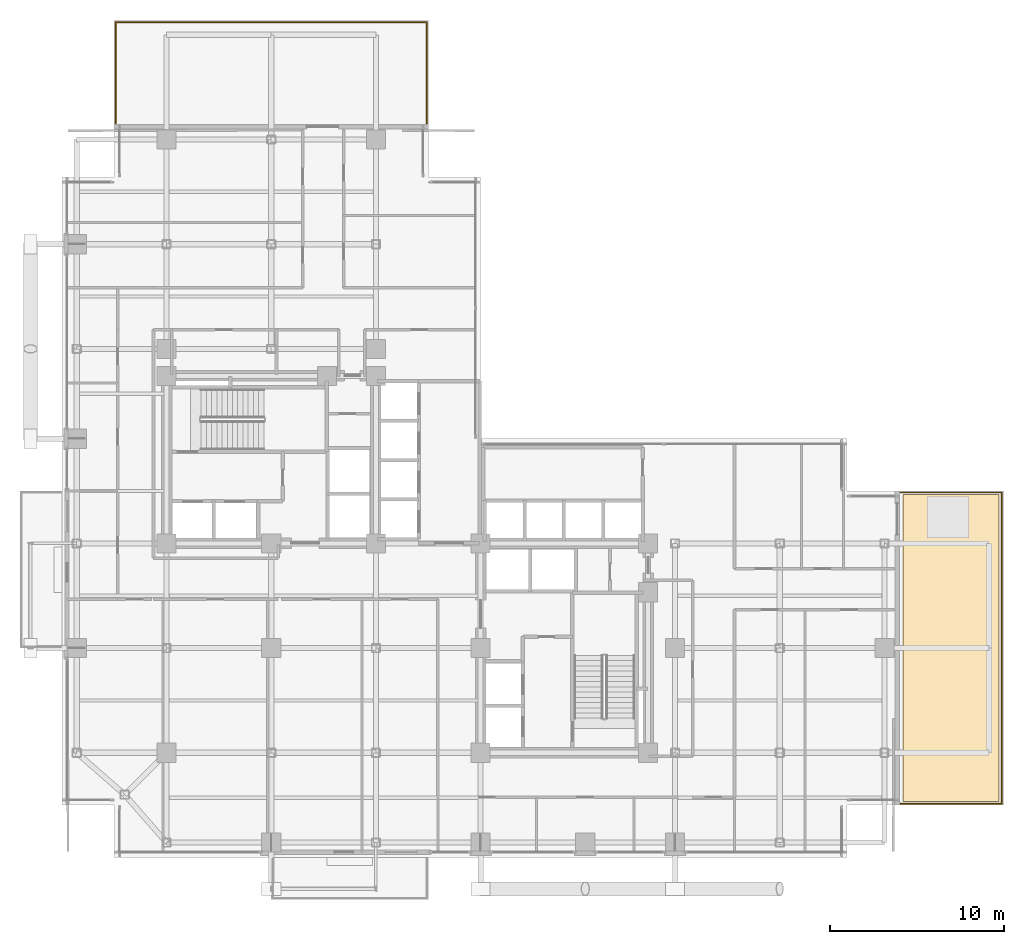
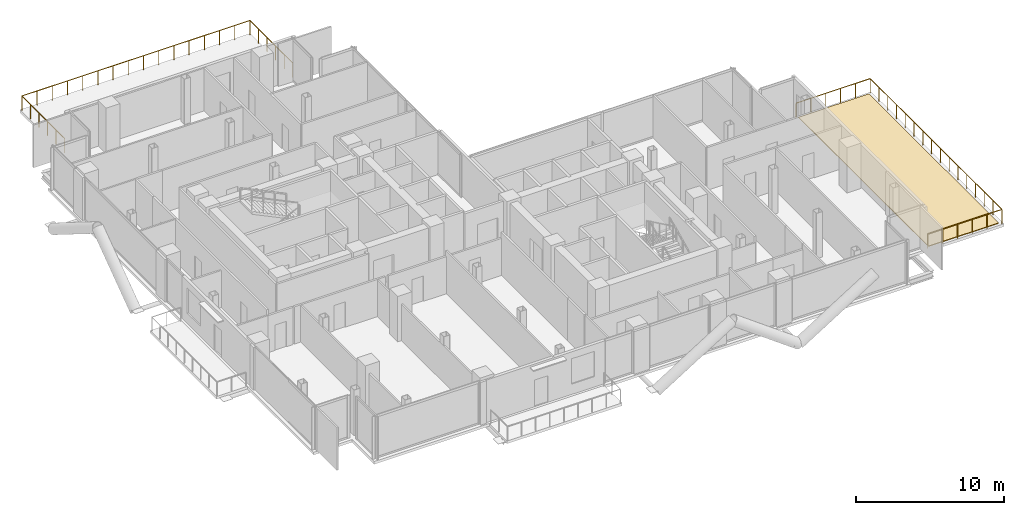
# One storey, part 26 of 26: 2 railings, 1 covering.
"""IFC4 building model written with IfcOpenShell, lengths in metres."""

import ifcopenshell
import ifcopenshell.guid

model = None  # the IFC model being written
_history = None  # IfcOwnerHistory: only IFC2X3 demands one
_inside = {}  # id of a spatial element -> (the spatial element, [elements in it])
_under = {}  # id of a project, library or spatial element -> (it, [spatial elements below it])
_declared = {}  # id of a project -> (the project, [libraries it declares])
_typed = {}  # id of a type object -> (the type object, [elements of that type])
_made_of = {}  # id of a material, layer set ... -> (it, [elements and type objects made of it])


def new_model(schema):
    """Start an empty IFC model of exactly this schema.

    Asked for "IFC4X3", IfcOpenShell would pick the latest addendum, in which some entities
    have other attributes; the version numbers below select the first issue.
    IFC2X3 requires an IfcOwnerHistory on every rooted entity: one is made here for all.
    """
    global model, _history
    if schema == "IFC4X3":
        model = ifcopenshell.file(schema_version=(4, 3, 0, 0))
    else:
        model = ifcopenshell.file(schema=schema)
    _inside.clear()
    _under.clear()
    _declared.clear()
    _typed.clear()
    _made_of.clear()
    _history = None
    if model.schema == "IFC2X3":
        org = make("IfcOrganization", Name="unknown")
        user = make(
            "IfcPersonAndOrganization",
            ThePerson=make("IfcPerson", FamilyName="unknown"),
            TheOrganization=org,
        )
        app = make(
            "IfcApplication",
            ApplicationDeveloper=org,
            Version="unknown",
            ApplicationFullName="unknown",
            ApplicationIdentifier="unknown",
        )
        _history = make(
            "IfcOwnerHistory",
            OwningUser=user,
            OwningApplication=app,
            ChangeAction="ADDED",
            CreationDate=0,
        )
    return model


def make(cls, **values):
    """One entity of the class cls with the attributes given. An attribute that is None is left unset."""
    return model.create_entity(
        cls, **{name: value for name, value in values.items() if value is not None}
    )


def rooted(cls, **values):
    """An entity with a GlobalId (a new one), such as an element, a storey or a relation."""
    return make(cls, GlobalId=ifcopenshell.guid.new(), OwnerHistory=_history, **values)


def si_unit(unit_type, name, prefix=None):
    """IfcSIUnit, for example si_unit("LENGTHUNIT", "METRE", prefix="MILLI")."""
    return make("IfcSIUnit", UnitType=unit_type, Prefix=prefix, Name=name)


def assignment(units):
    """IfcUnitAssignment: the units of a project."""
    return None if units is None else make("IfcUnitAssignment", Units=units)


def point(xyz):
    """IfcCartesianPoint."""
    return None if xyz is None else make("IfcCartesianPoint", Coordinates=xyz)


def direction(xyz):
    """IfcDirection."""
    return None if xyz is None else make("IfcDirection", DirectionRatios=xyz)


def frame(location, z_axis=None, x_axis=None):
    """IfcAxis2Placement3D, a coordinate frame: its origin and axes. An axis left out is left unset."""
    return make(
        "IfcAxis2Placement3D",
        Location=point(location),
        Axis=direction(z_axis),
        RefDirection=direction(x_axis),
    )


def frame_2d(location, x_axis=None):
    """IfcAxis2Placement2D, a coordinate frame in the plane: its origin and x axis."""
    return make(
        "IfcAxis2Placement2D", Location=point(location), RefDirection=direction(x_axis)
    )


def origin():
    """The frame at (0, 0, 0) with its axes left unset."""
    return frame((0.0, 0.0, 0.0))


def origin_2d():
    """The frame at (0, 0) in the plane with its x axis left unset."""
    return frame_2d((0.0, 0.0))


def place(relative_to, where):
    """IfcLocalPlacement: puts the frame where relative to a parent placement (None: the world)."""
    return make(
        "IfcLocalPlacement", PlacementRelTo=relative_to, RelativePlacement=where
    )


def context(
    kind, dimensions, precision=None, world=None, true_north=None, identifier=None
):
    """IfcGeometricRepresentationContext, for example the 3D "Model" context."""
    return make(
        "IfcGeometricRepresentationContext",
        ContextIdentifier=identifier,
        ContextType=kind,
        CoordinateSpaceDimension=dimensions,
        Precision=precision,
        WorldCoordinateSystem=world,
        TrueNorth=true_north,
    )


def subcontext(parent, identifier, kind, view, scale=None):
    """IfcGeometricRepresentationSubContext, for example "Body" below "Model"."""
    return make(
        "IfcGeometricRepresentationSubContext",
        ContextIdentifier=identifier,
        ContextType=kind,
        ParentContext=parent,
        TargetScale=scale,
        TargetView=view,
    )


def project(units=None, contexts=None):
    """IfcProject with its units and contexts."""
    return rooted(
        "IfcProject",
        Name="project",
        RepresentationContexts=contexts,
        UnitsInContext=assignment(units),
    )


def spatial(cls, under=None, at=None, **own):
    """A site, building, storey or space (cls), placed at a placement, below another one or the project."""
    s = rooted(cls, ObjectPlacement=at, **own)
    if under is not None:
        _under.setdefault(under.id(), (under, []))[1].append(s)
    return s


def polyline(points):
    """IfcPolyline through the points."""
    return make("IfcPolyline", Points=[point(p) for p in points])


def profile(cls, at=None, kind="AREA", **sizes):
    """A parametric profile (cls). Its sizes go by their IFC names, for example OverallWidth=200.0."""
    return make(cls, ProfileType=kind, Position=at, **sizes)


def rectangle(**sizes):
    """IfcRectangleProfileDef."""
    return profile("IfcRectangleProfileDef", **sizes)


def outline(outer, holes=None, kind="AREA"):
    """IfcArbitraryClosedProfileDef: a profile drawn as a closed curve; with holes, ...WithVoids."""
    if holes is None:
        return make("IfcArbitraryClosedProfileDef", ProfileType=kind, OuterCurve=outer)
    return make(
        "IfcArbitraryProfileDefWithVoids",
        ProfileType=kind,
        OuterCurve=outer,
        InnerCurves=holes,
    )


def extrude(swept, where, along, depth):
    """IfcExtrudedAreaSolid: the profile swept, set in the frame where, extruded along a direction by depth."""
    return make(
        "IfcExtrudedAreaSolid",
        SweptArea=swept,
        Position=where,
        ExtrudedDirection=direction(along),
        Depth=depth,
    )


def shape(context_of_items, identifier, shape_type, items):
    """IfcShapeRepresentation: the items that make up one representation, for example the "Body"."""
    return make(
        "IfcShapeRepresentation",
        ContextOfItems=context_of_items,
        RepresentationIdentifier=identifier,
        RepresentationType=shape_type,
        Items=items,
    )


def material(Name=None, Category=None):
    """IfcMaterial."""
    return make("IfcMaterial", Name=Name, Category=Category)


def layer(
    of_material, thickness, ventilated=None, Name=None, Category=None, Priority=None
):
    """IfcMaterialLayer: one layer of a wall or slab, of a material (None: an air gap)."""
    return make(
        "IfcMaterialLayer",
        Material=of_material,
        LayerThickness=thickness,
        IsVentilated=ventilated,
        Name=Name,
        Category=Category,
        Priority=Priority,
    )


def layer_set(layers, Name=None):
    """IfcMaterialLayerSet."""
    return make("IfcMaterialLayerSet", MaterialLayers=layers, LayerSetName=Name)


def made_of(thing, what):
    """Note that an element or type object is made of a material, layer set ...; save() writes the relation."""
    if what is not None:
        _made_of.setdefault(what.id(), (what, []))[1].append(thing)
    return thing


def type_object(cls, material=None, **own):
    """A type object (cls), such as IfcWallType, which elements share."""
    return made_of(rooted(cls, **own), material)


def element(
    cls,
    number,
    at=None,
    inside=None,
    cuts=None,
    type_object=None,
    material=None,
    context=None,
    identifier="Body",
    shape_type=None,
    held_by="IfcProductDefinitionShape",
    body=None,
    shapes=None,
    **own,
):
    """One element of the class cls, such as IfcWall. Its Tag is "e" and its number.

    at: its placement. inside: the storey or other place that contains it. cuts: it is an
    opening in that element (IfcRelVoidsElement). A single representation is given by context,
    identifier, shape_type and body (its items); several are given by shapes. held_by: the class
    of the entity that holds the representations. save() writes the other relations.
    """
    e = rooted(cls, Tag="e%d" % number, ObjectPlacement=at, **own)
    if body is not None:
        shapes = [shape(context, identifier, shape_type, body)]
    if shapes is not None:
        e.Representation = make(held_by, Representations=shapes)
    if inside is not None:
        _inside.setdefault(inside.id(), (inside, []))[1].append(e)
    if cuts is not None:
        rooted(
            "IfcRelVoidsElement", RelatingBuildingElement=cuts, RelatedOpeningElement=e
        )
    if type_object is not None:
        _typed.setdefault(type_object.id(), (type_object, []))[1].append(e)
    return made_of(e, material)


def aggregate(whole, parts):
    """IfcRelAggregates: a whole, such as a stair, and the parts it consists of."""
    return rooted("IfcRelAggregates", RelatingObject=whole, RelatedObjects=parts)


def save(model, path):
    """Write the relations noted so far, then the file.

    IfcRelAggregates (storeys below a building ...), IfcRelContainedInSpatialStructure (elements
    in a storey), IfcRelDefinesByType, IfcRelAssociatesMaterial and IfcRelDeclares: one each for
    every whole, place, type object, material and project.
    """
    for whole, parts in _under.values():
        aggregate(whole, parts)
    for where, things in _inside.values():
        rooted(
            "IfcRelContainedInSpatialStructure",
            RelatedElements=things,
            RelatingStructure=where,
        )
    for kind, things in _typed.values():
        rooted("IfcRelDefinesByType", RelatedObjects=things, RelatingType=kind)
    for what, things in _made_of.values():
        rooted("IfcRelAssociatesMaterial", RelatedObjects=things, RelatingMaterial=what)
    for by, libraries in _declared.values():
        rooted("IfcRelDeclares", RelatingContext=by, RelatedDefinitions=libraries)
    model.write(path)


model = new_model("IFC4")

# Units and contexts
model_context = context("Model", 3, precision=1e-05, world=origin(), true_north=direction((0.0, 1.0)))
body_context = subcontext(model_context, "Body", "Model", "MODEL_VIEW")
ifc_project = project(units=[si_unit("LENGTHUNIT", "METRE"), si_unit("AREAUNIT", "SQUARE_METRE"), si_unit("VOLUMEUNIT", "CUBIC_METRE"), si_unit("PLANEANGLEUNIT", "RADIAN"), si_unit("MASSUNIT", "GRAM", prefix="KILO"), si_unit("THERMODYNAMICTEMPERATUREUNIT", "KELVIN"), si_unit("POWERUNIT", "WATT")], contexts=[model_context])

# Site, building, storey
site_placement = place(None, origin())
site = spatial("IfcSite", under=ifc_project, at=site_placement, CompositionType="ELEMENT")
building_placement = place(site_placement, origin())
building = spatial("IfcBuilding", under=site, at=building_placement, Name="Svarakhadi Broadcast Tower", CompositionType="ELEMENT")
storey_placement = place(building_placement, frame((0.0, 0.0, 99.60009765625)))
storey = spatial("IfcBuildingStorey", under=building, at=storey_placement, Name="L23", CompositionType="ELEMENT", Elevation=99.60009765625)

# Railings
ifc_material_1 = material(Name="Anodised Bronze Aluminium AA 6063-T6", Category="aluminium")
railing_type = type_object("IfcRailingType", Name="Guard_Terrace_GR02", PredefinedType="BALUSTRADE", material=ifc_material_1)
railing_1_placement = place(storey_placement, frame((48.080078125, 3.080078125, 0.0)))
element("IfcRailing", 1, at=railing_1_placement, inside=storey, type_object=railing_type, Name="L23 East Setback Sky Garden Guard GR-02", PredefinedType="BALUSTRADE", context=body_context, shape_type="SweptSolid", body=[
    extrude(rectangle(XDim=0.048095703125, YDim=0.048095703125, at=origin_2d()), frame((0.0, 0.0, 1.17578125), z_axis=(1.0, 0.0, 0.0), x_axis=(0.0, 1.0, 0.0)), (0.0, 0.0, 1.0), 5.7998046875),
    extrude(rectangle(XDim=0.048095703125, YDim=0.048095703125, at=origin_2d()), frame((5.7998046875, 0.0, 1.17578125), z_axis=(0.0, 1.0, 0.0), x_axis=(-1.0, 0.0, 0.0)), (0.0, 0.0, 1.0), 17.83984375),
    extrude(rectangle(XDim=0.048095703125, YDim=0.048095703125, at=origin_2d()), frame((5.7998046875, 17.83984375, 1.17578125), z_axis=(-1.0, 0.0, 0.0), x_axis=(0.0, -1.0, 0.0)), (0.0, 0.0, 1.0), 5.7998046875),
    extrude(rectangle(XDim=0.0419921875, YDim=0.0419921875, at=origin_2d()), origin(), (0.0, 0.0, 1.0), 1.15185546875),
    extrude(rectangle(XDim=0.0419921875, YDim=0.0419921875, at=origin_2d()), frame((1.159912109375, 0.0, 0.0)), (0.0, 0.0, 1.0), 1.15185546875),
    extrude(rectangle(XDim=0.0419921875, YDim=0.0419921875, at=origin_2d()), frame((2.31982421875, 0.0, 0.0)), (0.0, 0.0, 1.0), 1.15185546875),
    extrude(rectangle(XDim=0.0419921875, YDim=0.0419921875, at=origin_2d()), frame((3.47998046875, 0.0, 0.0)), (0.0, 0.0, 1.0), 1.15185546875),
    extrude(rectangle(XDim=0.0419921875, YDim=0.0419921875, at=origin_2d()), frame((4.639892578125, 0.0, 0.0)), (0.0, 0.0, 1.0), 1.15185546875),
    extrude(rectangle(XDim=0.0419921875, YDim=0.0419921875, at=origin_2d()), frame((5.7998046875, 0.0, 0.0)), (0.0, 0.0, 1.0), 1.15185546875),
    extrude(rectangle(XDim=0.0419921875, YDim=0.0419921875, at=origin_2d()), frame((5.7998046875, 1.189208984375, 0.0)), (0.0, 0.0, 1.0), 1.15185546875),
    extrude(rectangle(XDim=0.0419921875, YDim=0.0419921875, at=origin_2d()), frame((5.7998046875, 2.378662109375, 0.0)), (0.0, 0.0, 1.0), 1.15185546875),
    extrude(rectangle(XDim=0.0419921875, YDim=0.0419921875, at=origin_2d()), frame((5.7998046875, 3.56787109375, 0.0)), (0.0, 0.0, 1.0), 1.15185546875),
    extrude(rectangle(XDim=0.0419921875, YDim=0.0419921875, at=origin_2d()), frame((5.7998046875, 4.75732421875, 0.0)), (0.0, 0.0, 1.0), 1.15185546875),
    extrude(rectangle(XDim=0.0419921875, YDim=0.0419921875, at=origin_2d()), frame((5.7998046875, 5.946533203125, 0.0)), (0.0, 0.0, 1.0), 1.15185546875),
    extrude(rectangle(XDim=0.0419921875, YDim=0.0419921875, at=origin_2d()), frame((5.7998046875, 7.135986328125, 0.0)), (0.0, 0.0, 1.0), 1.15185546875),
    extrude(rectangle(XDim=0.0419921875, YDim=0.0419921875, at=origin_2d()), frame((5.7998046875, 8.3251953125, 0.0)), (0.0, 0.0, 1.0), 1.15185546875),
    extrude(rectangle(XDim=0.0419921875, YDim=0.0419921875, at=origin_2d()), frame((5.7998046875, 9.5146484375, 0.0)), (0.0, 0.0, 1.0), 1.15185546875),
    extrude(rectangle(XDim=0.0419921875, YDim=0.0419921875, at=origin_2d()), frame((5.7998046875, 10.703857421875, 0.0)), (0.0, 0.0, 1.0), 1.15185546875),
    extrude(rectangle(XDim=0.0419921875, YDim=0.0419921875, at=origin_2d()), frame((5.7998046875, 11.893310546875, 0.0)), (0.0, 0.0, 1.0), 1.15185546875),
    extrude(rectangle(XDim=0.0419921875, YDim=0.0419921875, at=origin_2d()), frame((5.7998046875, 13.08251953125, 0.0)), (0.0, 0.0, 1.0), 1.15185546875),
    extrude(rectangle(XDim=0.0419921875, YDim=0.0419921875, at=origin_2d()), frame((5.7998046875, 14.27197265625, 0.0)), (0.0, 0.0, 1.0), 1.15185546875),
    extrude(rectangle(XDim=0.0419921875, YDim=0.0419921875, at=origin_2d()), frame((5.7998046875, 15.461181640625, 0.0)), (0.0, 0.0, 1.0), 1.15185546875),
    extrude(rectangle(XDim=0.0419921875, YDim=0.0419921875, at=origin_2d()), frame((5.7998046875, 16.650634765625, 0.0)), (0.0, 0.0, 1.0), 1.15185546875),
    extrude(rectangle(XDim=0.0419921875, YDim=0.0419921875, at=origin_2d()), frame((5.7998046875, 17.83984375, 0.0)), (0.0, 0.0, 1.0), 1.15185546875),
    extrude(rectangle(XDim=0.0419921875, YDim=0.0419921875, at=origin_2d()), frame((4.639892578125, 17.83984375, 0.0)), (0.0, 0.0, 1.0), 1.15185546875),
    extrude(rectangle(XDim=0.0419921875, YDim=0.0419921875, at=origin_2d()), frame((3.47998046875, 17.83984375, 0.0)), (0.0, 0.0, 1.0), 1.15185546875),
    extrude(rectangle(XDim=0.0419921875, YDim=0.0419921875, at=origin_2d()), frame((2.31982421875, 17.83984375, 0.0)), (0.0, 0.0, 1.0), 1.15185546875),
    extrude(rectangle(XDim=0.0419921875, YDim=0.0419921875, at=origin_2d()), frame((1.159912109375, 17.83984375, 0.0)), (0.0, 0.0, 1.0), 1.15185546875),
    extrude(rectangle(XDim=0.0419921875, YDim=0.0419921875, at=origin_2d()), frame((0.0, 17.83984375, 0.0)), (0.0, 0.0, 1.0), 1.15185546875),
])
railing_2_placement = place(storey_placement, frame((3.080078125, 42.080078125, 0.0)))
element("IfcRailing", 2, at=railing_2_placement, inside=storey, type_object=railing_type, Name="L23 North Setback Sky Garden Guard GR-02", PredefinedType="BALUSTRADE", context=body_context, shape_type="SweptSolid", body=[
    extrude(rectangle(XDim=0.048095703125, YDim=0.048095703125, at=origin_2d()), frame((0.0, 0.0, 1.17578125), z_axis=(0.0, 1.0, 0.0), x_axis=(-1.0, 0.0, 0.0)), (0.0, 0.0, 1.0), 5.7998046875),
    extrude(rectangle(XDim=0.048095703125, YDim=0.048095703125, at=origin_2d()), frame((0.0, 5.7998046875, 1.17578125), z_axis=(1.0, 0.0, 0.0), x_axis=(0.0, 1.0, 0.0)), (0.0, 0.0, 1.0), 17.83984375),
    extrude(rectangle(XDim=0.048095703125, YDim=0.048095703125, at=origin_2d()), frame((17.83984375, 5.7998046875, 1.17578125), z_axis=(0.0, -1.0, 0.0), x_axis=(1.0, 0.0, 0.0)), (0.0, 0.0, 1.0), 5.7998046875),
    extrude(rectangle(XDim=0.0419921875, YDim=0.0419921875, at=origin_2d()), origin(), (0.0, 0.0, 1.0), 1.15185546875),
    extrude(rectangle(XDim=0.0419921875, YDim=0.0419921875, at=origin_2d()), frame((0.0, 1.159912109375, 0.0)), (0.0, 0.0, 1.0), 1.15185546875),
    extrude(rectangle(XDim=0.0419921875, YDim=0.0419921875, at=origin_2d()), frame((0.0, 2.31982421875, 0.0)), (0.0, 0.0, 1.0), 1.15185546875),
    extrude(rectangle(XDim=0.0419921875, YDim=0.0419921875, at=origin_2d()), frame((0.0, 3.47998046875, 0.0)), (0.0, 0.0, 1.0), 1.15185546875),
    extrude(rectangle(XDim=0.0419921875, YDim=0.0419921875, at=origin_2d()), frame((0.0, 4.639892578125, 0.0)), (0.0, 0.0, 1.0), 1.15185546875),
    extrude(rectangle(XDim=0.0419921875, YDim=0.0419921875, at=origin_2d()), frame((0.0, 5.7998046875, 0.0)), (0.0, 0.0, 1.0), 1.15185546875),
    extrude(rectangle(XDim=0.0419921875, YDim=0.0419921875, at=origin_2d()), frame((1.189208984375, 5.7998046875, 0.0)), (0.0, 0.0, 1.0), 1.15185546875),
    extrude(rectangle(XDim=0.0419921875, YDim=0.0419921875, at=origin_2d()), frame((2.378662109375, 5.7998046875, 0.0)), (0.0, 0.0, 1.0), 1.15185546875),
    extrude(rectangle(XDim=0.0419921875, YDim=0.0419921875, at=origin_2d()), frame((3.56787109375, 5.7998046875, 0.0)), (0.0, 0.0, 1.0), 1.15185546875),
    extrude(rectangle(XDim=0.0419921875, YDim=0.0419921875, at=origin_2d()), frame((4.75732421875, 5.7998046875, 0.0)), (0.0, 0.0, 1.0), 1.15185546875),
    extrude(rectangle(XDim=0.0419921875, YDim=0.0419921875, at=origin_2d()), frame((5.946533203125, 5.7998046875, 0.0)), (0.0, 0.0, 1.0), 1.15185546875),
    extrude(rectangle(XDim=0.0419921875, YDim=0.0419921875, at=origin_2d()), frame((7.135986328125, 5.7998046875, 0.0)), (0.0, 0.0, 1.0), 1.15185546875),
    extrude(rectangle(XDim=0.0419921875, YDim=0.0419921875, at=origin_2d()), frame((8.3251953125, 5.7998046875, 0.0)), (0.0, 0.0, 1.0), 1.15185546875),
    extrude(rectangle(XDim=0.0419921875, YDim=0.0419921875, at=origin_2d()), frame((9.5146484375, 5.7998046875, 0.0)), (0.0, 0.0, 1.0), 1.15185546875),
    extrude(rectangle(XDim=0.0419921875, YDim=0.0419921875, at=origin_2d()), frame((10.703857421875, 5.7998046875, 0.0)), (0.0, 0.0, 1.0), 1.15185546875),
    extrude(rectangle(XDim=0.0419921875, YDim=0.0419921875, at=origin_2d()), frame((11.893310546875, 5.7998046875, 0.0)), (0.0, 0.0, 1.0), 1.15185546875),
    extrude(rectangle(XDim=0.0419921875, YDim=0.0419921875, at=origin_2d()), frame((13.08251953125, 5.7998046875, 0.0)), (0.0, 0.0, 1.0), 1.15185546875),
    extrude(rectangle(XDim=0.0419921875, YDim=0.0419921875, at=origin_2d()), frame((14.27197265625, 5.7998046875, 0.0)), (0.0, 0.0, 1.0), 1.15185546875),
    extrude(rectangle(XDim=0.0419921875, YDim=0.0419921875, at=origin_2d()), frame((15.461181640625, 5.7998046875, 0.0)), (0.0, 0.0, 1.0), 1.15185546875),
    extrude(rectangle(XDim=0.0419921875, YDim=0.0419921875, at=origin_2d()), frame((16.650634765625, 5.7998046875, 0.0)), (0.0, 0.0, 1.0), 1.15185546875),
    extrude(rectangle(XDim=0.0419921875, YDim=0.0419921875, at=origin_2d()), frame((17.83984375, 5.7998046875, 0.0)), (0.0, 0.0, 1.0), 1.15185546875),
    extrude(rectangle(XDim=0.0419921875, YDim=0.0419921875, at=origin_2d()), frame((17.83984375, 4.639892578125, 0.0)), (0.0, 0.0, 1.0), 1.15185546875),
    extrude(rectangle(XDim=0.0419921875, YDim=0.0419921875, at=origin_2d()), frame((17.83984375, 3.47998046875, 0.0)), (0.0, 0.0, 1.0), 1.15185546875),
    extrude(rectangle(XDim=0.0419921875, YDim=0.0419921875, at=origin_2d()), frame((17.83984375, 2.31982421875, 0.0)), (0.0, 0.0, 1.0), 1.15185546875),
    extrude(rectangle(XDim=0.0419921875, YDim=0.0419921875, at=origin_2d()), frame((17.83984375, 1.159912109375, 0.0)), (0.0, 0.0, 1.0), 1.15185546875),
    extrude(rectangle(XDim=0.0419921875, YDim=0.0419921875, at=origin_2d()), frame((17.83984375, 0.0, 0.0)), (0.0, 0.0, 1.0), 1.15185546875),
])

# Covering
ifc_material_2 = material(Name="SBS Modified Bitumen Waterproofing Membrane", Category="bitumen")
ifc_layer = layer(ifc_material_2, 0.054931640625)
ifc_layer_set = layer_set([ifc_layer], Name="SBS Modified Bitumen Waterproofing Membrane")
covering_type = type_object("IfcCoveringType", Name="Roofing_Membrane_RM02", PredefinedType="ROOFING", material=ifc_layer_set)
covering_placement = place(storey_placement, origin())
element("IfcCovering", 3, at=covering_placement, inside=storey, type_object=covering_type, Name="L23 Setback Terrace Waterproofing Membrane CV-07", PredefinedType="ROOFING", context=body_context, shape_type="SweptSolid", body=[
    extrude(outline(polyline([(48.199951171875, 3.199951171875), (53.699951171875, 3.199951171875), (53.699951171875, 20.800048828125), (48.199951171875, 20.800048828125), (48.199951171875, 3.199951171875)])), origin(), (0.0, 0.0, 1.0), 0.054931640625),
])

save(model, "model.ifc")
